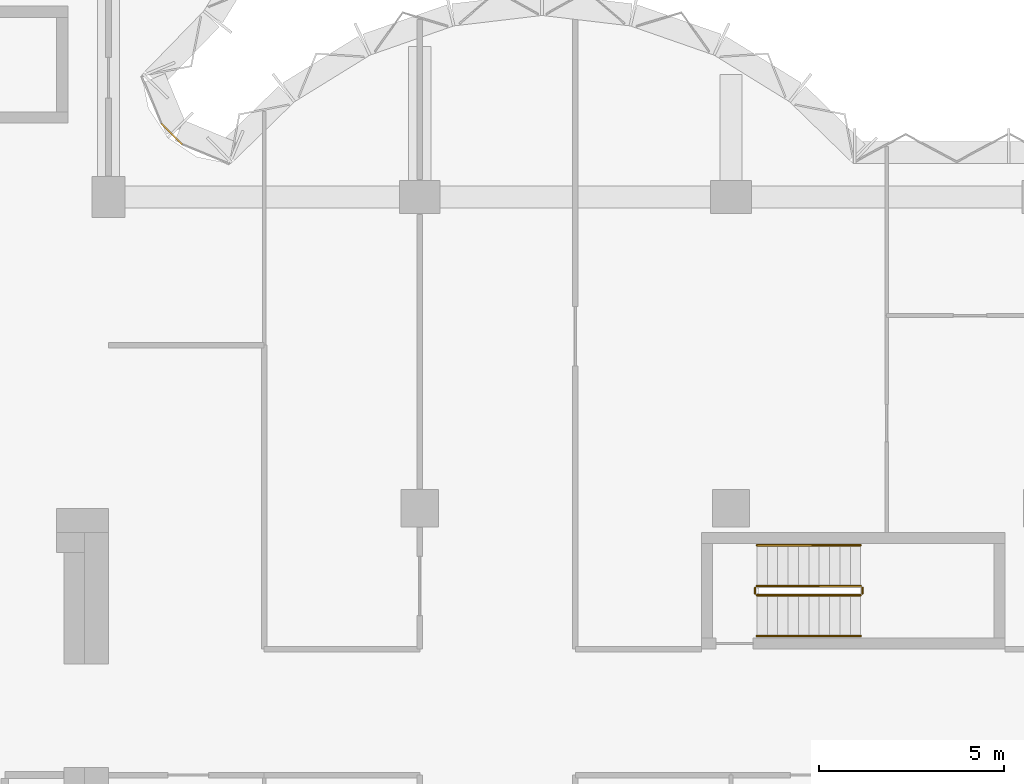
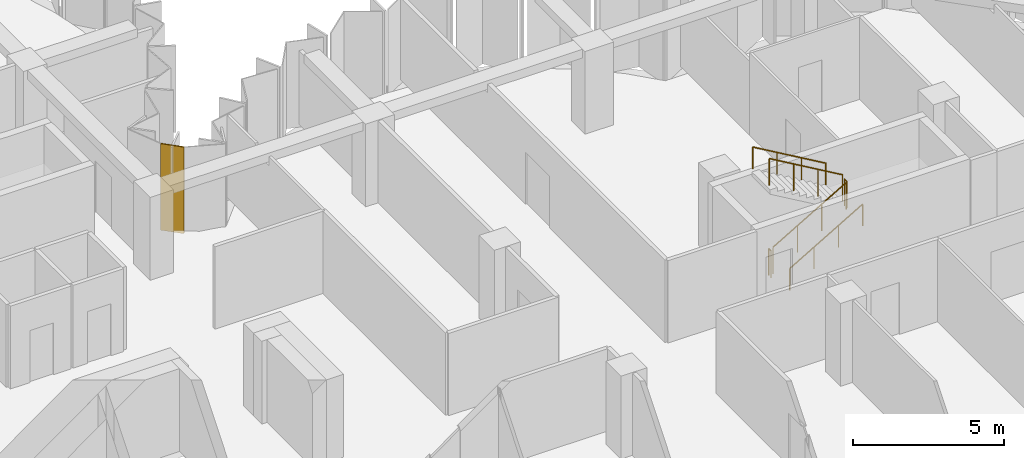
# One storey, part 10 of 10: 6 railings, 1 covering, 1 element without a shape of its own.
"""IFC4 building model written with IfcOpenShell, lengths in metres."""

from ifc_helpers import new_model, si_unit, direction, frame, origin, origin_2d, place, context, subcontext, project, spatial, polyline, circle, outline, extrude, material, layer, layer_set, type_object, element, aggregate, save


model = new_model("IFC4")

# Units and contexts
model_context = context("Model", 3, precision=1e-05, world=origin(), true_north=direction((0.0, 1.0)))
body_context = subcontext(model_context, "Body", "Model", "MODEL_VIEW")
ifc_project = project(units=[si_unit("LENGTHUNIT", "METRE"), si_unit("AREAUNIT", "SQUARE_METRE"), si_unit("VOLUMEUNIT", "CUBIC_METRE"), si_unit("PLANEANGLEUNIT", "RADIAN"), si_unit("MASSUNIT", "GRAM", prefix="KILO")], contexts=[model_context])

# Site, building, storey
site_placement = place(None, origin())
site = spatial("IfcSite", under=ifc_project, at=site_placement, CompositionType="ELEMENT")
building_placement = place(site_placement, origin())
building = spatial("IfcBuilding", under=site, at=building_placement, Name="Brevane Broadcast Tower", CompositionType="ELEMENT")
storey_placement = place(building_placement, frame((0.0, 0.0, 166.800048828125)))
storey = spatial("IfcBuildingStorey", under=building, at=storey_placement, Name="L41", CompositionType="ELEMENT", Elevation=166.800048828125)

# Railings
ifc_material_1 = material(Name="Steel S355", Category="steel")
railing_type_1 = type_object("IfcRailingType", Name="Exit stair guard", PredefinedType="GUARDRAIL", material=ifc_material_1)
railing_1_placement = place(storey_placement, frame((42.699951171875, 14.449951171875, 0.16357421875)))
element("IfcRailing", 1, at=railing_1_placement, inside=storey, type_object=railing_type_1, Name="L41 ST-4 stair guard 1", PredefinedType="GUARDRAIL", context=body_context, shape_type="SweptSolid", body=[
    extrude(circle(Radius=0.02392578125, at=origin_2d()), frame((0.0, 0.0, 1.076171875), z_axis=(0.863360870873, 0.0, 0.504586966384), x_axis=(0.0, 1.0, 0.0)), (0.0, 0.0, 1.0), 3.2431640625),
    extrude(circle(Radius=0.02099609375, at=origin_2d()), origin(), (0.0, 0.0, 1.0), 1.052001953125),
    extrude(circle(Radius=0.02099609375, at=origin_2d()), frame((0.933349609375, 0.0, 0.54541015625)), (0.0, 0.0, 1.0), 1.052001953125),
    extrude(circle(Radius=0.02099609375, at=origin_2d()), frame((1.86669921875, 0.0, 1.091064453125)), (0.0, 0.0, 1.0), 1.052001953125),
    extrude(circle(Radius=0.02099609375, at=origin_2d()), frame((2.800048828125, 0.0, 1.636474609375)), (0.0, 0.0, 1.0), 1.052001953125),
])
railing_2_placement = place(storey_placement, frame((45.550048828125, 14.5, 1.800048828125)))
element("IfcRailing", 2, at=railing_2_placement, inside=storey, type_object=railing_type_1, Name="L41 ST-4 stair guard 2", PredefinedType="GUARDRAIL", context=body_context, shape_type="SweptSolid", body=[
    extrude(circle(Radius=0.02392578125, at=origin_2d()), frame((0.0, 0.0, 1.076171875), z_axis=(0.0, 1.0, 0.0), x_axis=(-1.0, 0.0, 0.0)), (0.0, 0.0, 1.0), 0.14990234375),
    extrude(circle(Radius=0.02099609375, at=origin_2d()), origin(), (0.0, 0.0, 1.0), 1.052001953125),
    extrude(circle(Radius=0.02099609375, at=origin_2d()), frame((0.0, 0.14990234375, 0.0)), (0.0, 0.0, 1.0), 1.052001953125),
])
railing_3_placement = place(storey_placement, frame((45.5, 14.699951171875, 1.963623046875)))
element("IfcRailing", 3, at=railing_3_placement, inside=storey, type_object=railing_type_1, Name="L41 ST-4 stair guard 3", PredefinedType="GUARDRAIL", context=body_context, shape_type="SweptSolid", body=[
    extrude(circle(Radius=0.02392578125, at=origin_2d()), frame((0.0, 0.0, 1.076171875), z_axis=(-0.863393664356, 0.0, 0.504530851732), x_axis=(0.0, -1.0, 0.0)), (0.0, 0.0, 1.0), 3.2431640625),
    extrude(circle(Radius=0.02099609375, at=origin_2d()), origin(), (0.0, 0.0, 1.0), 1.052001953125),
    extrude(circle(Radius=0.02099609375, at=origin_2d()), frame((-0.933349609375, 0.0, 0.54541015625)), (0.0, 0.0, 1.0), 1.052001953125),
    extrude(circle(Radius=0.02099609375, at=origin_2d()), frame((-1.86669921875, 0.0, 1.0908203125)), (0.0, 0.0, 1.0), 1.052001953125),
    extrude(circle(Radius=0.02099609375, at=origin_2d()), frame((-2.800048828125, 0.0, 1.63623046875)), (0.0, 0.0, 1.0), 1.052001953125),
])
railing_4_placement = place(storey_placement, frame((42.64990234375, 14.5, 0.0)))
element("IfcRailing", 4, at=railing_4_placement, inside=storey, type_object=railing_type_1, Name="L41 ST-4 stair guard 4", PredefinedType="GUARDRAIL", context=body_context, shape_type="SweptSolid", body=[
    extrude(circle(Radius=0.02392578125, at=origin_2d()), frame((0.0, 0.0, 1.076171875), z_axis=(0.0, 1.0, 0.0), x_axis=(-1.0, 0.0, 0.0)), (0.0, 0.0, 1.0), 0.14990234375),
    extrude(circle(Radius=0.02099609375, at=origin_2d()), origin(), (0.0, 0.0, 1.0), 1.052001953125),
    extrude(circle(Radius=0.02099609375, at=origin_2d()), frame((0.0, 0.14990234375, 0.0)), (0.0, 0.0, 1.0), 1.052001953125),
])
railing_type_2 = type_object("IfcRailingType", Name="Exit stair handrail", PredefinedType="HANDRAIL", material=ifc_material_1)
railing_5_placement = place(storey_placement, frame((42.699951171875, 13.35009765625, 0.16357421875)))
element("IfcRailing", 5, at=railing_5_placement, inside=storey, type_object=railing_type_2, Name="L41 ST-4 stair handrail 1", PredefinedType="HANDRAIL", context=body_context, shape_type="SweptSolid", body=[
    extrude(circle(Radius=0.02392578125, at=origin_2d()), frame((0.0, 0.0, 0.8759765625), z_axis=(0.863360870873, 0.0, 0.504586966384), x_axis=(0.0, 1.0, 0.0)), (0.0, 0.0, 1.0), 3.2431640625),
    extrude(circle(Radius=0.02099609375, at=origin_2d()), origin(), (0.0, 0.0, 1.0), 0.851806640625),
    extrude(circle(Radius=0.02099609375, at=origin_2d()), frame((0.933349609375, 0.0, 0.54541015625)), (0.0, 0.0, 1.0), 0.851806640625),
    extrude(circle(Radius=0.02099609375, at=origin_2d()), frame((1.86669921875, 0.0, 1.091064453125)), (0.0, 0.0, 1.0), 0.851806640625),
    extrude(circle(Radius=0.02099609375, at=origin_2d()), frame((2.800048828125, 0.0, 1.636474609375)), (0.0, 0.0, 1.0), 0.851806640625),
])
railing_6_placement = place(storey_placement, frame((45.5, 15.800048828125, 1.963623046875)))
element("IfcRailing", 6, at=railing_6_placement, inside=storey, type_object=railing_type_2, Name="L41 ST-4 stair handrail 2", PredefinedType="HANDRAIL", context=body_context, shape_type="SweptSolid", body=[
    extrude(circle(Radius=0.02392578125, at=origin_2d()), frame((0.0, 0.0, 0.8759765625), z_axis=(-0.863393664356, 0.0, 0.504530851732), x_axis=(0.0, -1.0, 0.0)), (0.0, 0.0, 1.0), 3.2431640625),
    extrude(circle(Radius=0.02099609375, at=origin_2d()), origin(), (0.0, 0.0, 1.0), 0.851806640625),
    extrude(circle(Radius=0.02099609375, at=origin_2d()), frame((-0.933349609375, 0.0, 0.54541015625)), (0.0, 0.0, 1.0), 0.851806640625),
    extrude(circle(Radius=0.02099609375, at=origin_2d()), frame((-1.86669921875, 0.0, 1.0908203125)), (0.0, 0.0, 1.0), 0.851806640625),
    extrude(circle(Radius=0.02099609375, at=origin_2d()), frame((-2.800048828125, 0.0, 1.63623046875)), (0.0, 0.0, 1.0), 0.851806640625),
])

# Curtain wall, covering
ifc_material_2 = material(Name="Aluminium 6063-T6 bronze anodised", Category="aluminium")
curtain_wall_type = type_object("IfcCurtainWallType", Name="CW-1 curtain wall", PredefinedType="NOTDEFINED", material=ifc_material_2)
curtain_wall_placement = place(storey_placement, origin())
curtain_wall = element("IfcCurtainWall", 7, at=curtain_wall_placement, inside=storey, type_object=curtain_wall_type, Name="CW-1 typical tilted unit L41 inner corner", PredefinedType="NOTDEFINED")
ifc_material_3 = material(Name="Back-painted bronze glass shadow-box", Category="glass")
ifc_layer = layer(ifc_material_3, 0.0400390625)
ifc_layer_set = layer_set([ifc_layer], Name="Shadow-box panel 40")
covering_type = type_object("IfcCoveringType", Name="Shadow-box panel 40", PredefinedType="CLADDING", material=ifc_layer_set)
covering_placement = place(storey_placement, frame((0.0, 0.0, -0.150146484375)))
covering = element("IfcCovering", 8, at=covering_placement, type_object=covering_type, Name="Closure panel", PredefinedType="CLADDING", context=body_context, shape_type="SweptSolid", body=[
    extrude(outline(polyline([(27.17138671875, 26.60498046875), (27.2021484375, 26.635498046875), (26.635498046875, 27.2021484375), (26.60498046875, 27.17138671875), (27.17138671875, 26.60498046875)])), origin(), (0.0, 0.0, 1.0), 3.5),
])
aggregate(curtain_wall, [covering])

save(model, "model.ifc")
